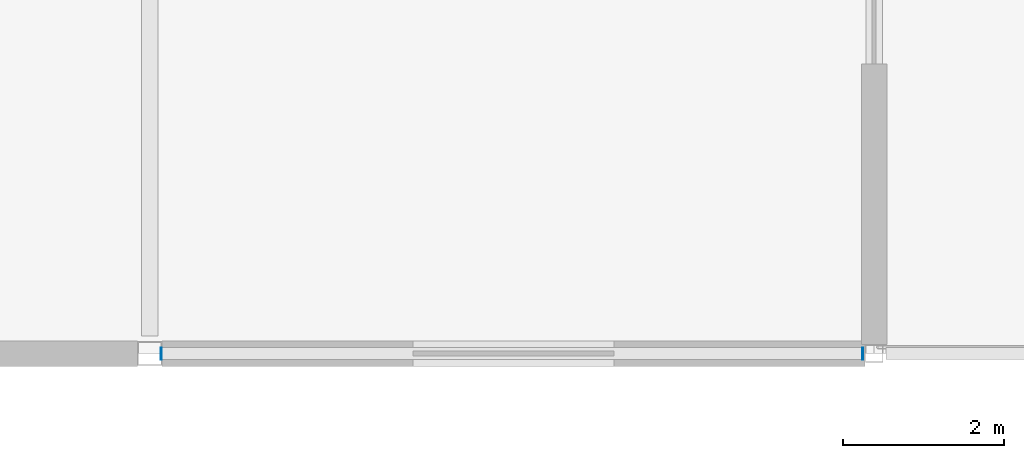
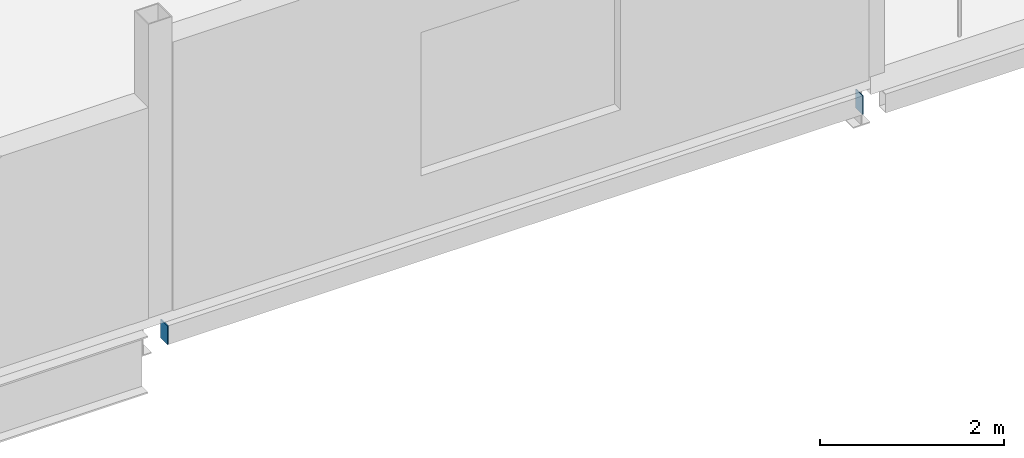
# One storey, part 36 of 55: 2 discrete accessories.
"""IFC4 building model written with IfcOpenShell, lengths in metres."""

from ifc_helpers import new_model, si_unit, direction, frame, origin, place, context, subcontext, project, spatial, polyline, outline, extrude, material, layer, layer_set, type_object, element, save


model = new_model("IFC4")

# Units and contexts
model_context = context("Model", 3, precision=1e-05, world=origin(), true_north=direction((0.0, 1.0)))
body_context = subcontext(model_context, "Body", "Model", "MODEL_VIEW")
ifc_project = project(units=[si_unit("LENGTHUNIT", "METRE"), si_unit("AREAUNIT", "SQUARE_METRE"), si_unit("VOLUMEUNIT", "CUBIC_METRE"), si_unit("PLANEANGLEUNIT", "RADIAN"), si_unit("MASSUNIT", "GRAM", prefix="KILO")], contexts=[model_context])

# Site, building, storey
site_placement = place(None, origin())
site = spatial("IfcSite", under=ifc_project, at=site_placement, CompositionType="ELEMENT")
building_placement = place(site_placement, origin())
building = spatial("IfcBuilding", under=site, at=building_placement, Name="Kisiwana Market Hall", CompositionType="ELEMENT")
storey_placement = place(building_placement, frame((0.0, 0.0, 37.800048828125)))
storey = spatial("IfcBuildingStorey", under=building, at=storey_placement, Name="L08", CompositionType="ELEMENT", Elevation=37.800048828125)

# Discrete accessories
ifc_material = material(Name="Steel S355", Category="steel")
ifc_layer = layer(ifc_material, 0.011962890625)
ifc_layer_set = layer_set([ifc_layer], Name="ACC-ENDCAP-STL")
discrete_accessory_type = type_object("IfcDiscreteAccessoryType", Name="ACC-ENDCAP-STL", PredefinedType="USERDEFINED", material=ifc_layer_set)
discrete_accessory_1_placement = place(storey_placement, frame((0.0, 0.0, -0.4951171875)))
element("IfcDiscreteAccessory", 1, at=discrete_accessory_1_placement, inside=storey, type_object=discrete_accessory_type, Name="End cap plate EC-0103", ObjectType="End cap plate", PredefinedType="USERDEFINED", context=body_context, shape_type="SweptSolid", body=[
    extrude(outline(polyline([(35.85400390625, 8.925048828125), (35.865966796875, 8.925048828125), (35.865966796875, 9.074951171875), (35.85400390625, 9.074951171875), (35.85400390625, 8.925048828125)])), origin(), (0.0, 0.0, 1.0), 0.25),
])
discrete_accessory_2_placement = place(storey_placement, frame((0.0, 0.0, -0.4951171875)))
element("IfcDiscreteAccessory", 2, at=discrete_accessory_2_placement, inside=storey, type_object=discrete_accessory_type, Name="End cap plate EC-0104", ObjectType="End cap plate", PredefinedType="USERDEFINED", context=body_context, shape_type="SweptSolid", body=[
    extrude(outline(polyline([(27.14599609375, 8.925048828125), (27.14599609375, 9.074951171875), (27.134033203125, 9.074951171875), (27.134033203125, 8.925048828125), (27.14599609375, 8.925048828125)])), origin(), (0.0, 0.0, 1.0), 0.25),
])

save(model, "model.ifc")
